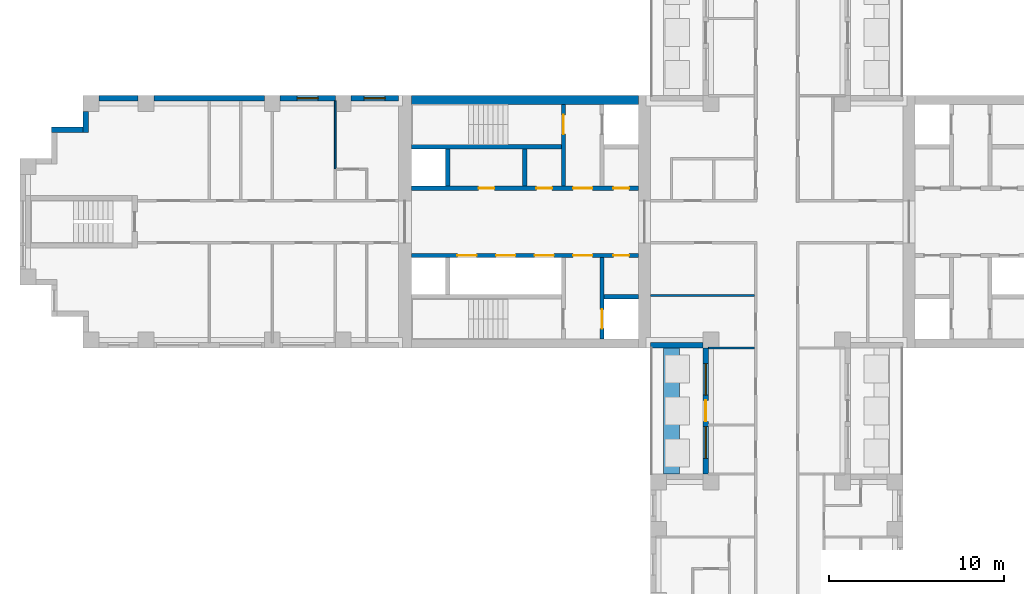
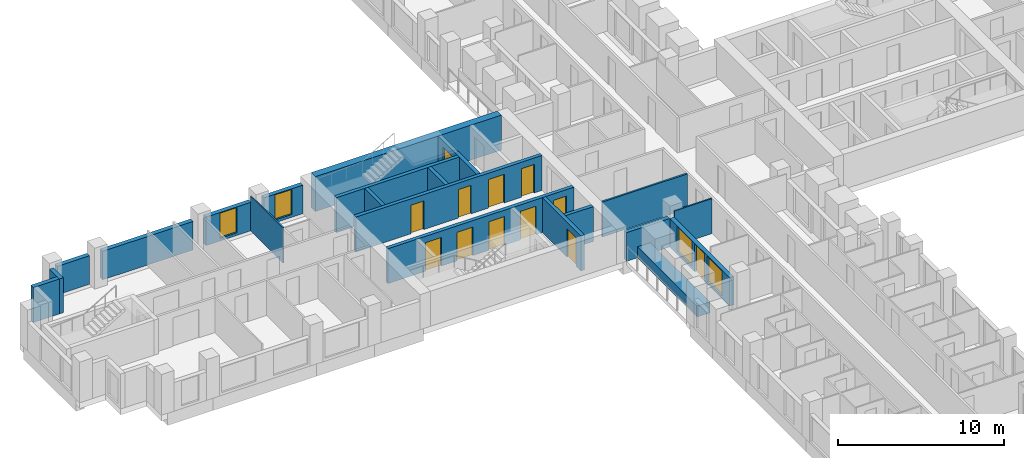
# One storey, part 7 of 16: 21 walls, 12 doors, 4 windows, 16 openings.
"""IFC4 building model written with IfcOpenShell, lengths in metres."""

import ifcopenshell
import ifcopenshell.guid

model = None  # the IFC model being written
_history = None  # IfcOwnerHistory: only IFC2X3 demands one
_inside = {}  # id of a spatial element -> (the spatial element, [elements in it])
_under = {}  # id of a project, library or spatial element -> (it, [spatial elements below it])
_declared = {}  # id of a project -> (the project, [libraries it declares])
_typed = {}  # id of a type object -> (the type object, [elements of that type])
_made_of = {}  # id of a material, layer set ... -> (it, [elements and type objects made of it])


def new_model(schema):
    """Start an empty IFC model of exactly this schema.

    Asked for "IFC4X3", IfcOpenShell would pick the latest addendum, in which some entities
    have other attributes; the version numbers below select the first issue.
    IFC2X3 requires an IfcOwnerHistory on every rooted entity: one is made here for all.
    """
    global model, _history
    if schema == "IFC4X3":
        model = ifcopenshell.file(schema_version=(4, 3, 0, 0))
    else:
        model = ifcopenshell.file(schema=schema)
    _inside.clear()
    _under.clear()
    _declared.clear()
    _typed.clear()
    _made_of.clear()
    _history = None
    if model.schema == "IFC2X3":
        org = make("IfcOrganization", Name="unknown")
        user = make(
            "IfcPersonAndOrganization",
            ThePerson=make("IfcPerson", FamilyName="unknown"),
            TheOrganization=org,
        )
        app = make(
            "IfcApplication",
            ApplicationDeveloper=org,
            Version="unknown",
            ApplicationFullName="unknown",
            ApplicationIdentifier="unknown",
        )
        _history = make(
            "IfcOwnerHistory",
            OwningUser=user,
            OwningApplication=app,
            ChangeAction="ADDED",
            CreationDate=0,
        )
    return model


def make(cls, **values):
    """One entity of the class cls with the attributes given. An attribute that is None is left unset."""
    return model.create_entity(
        cls, **{name: value for name, value in values.items() if value is not None}
    )


def rooted(cls, **values):
    """An entity with a GlobalId (a new one), such as an element, a storey or a relation."""
    return make(cls, GlobalId=ifcopenshell.guid.new(), OwnerHistory=_history, **values)


def si_unit(unit_type, name, prefix=None):
    """IfcSIUnit, for example si_unit("LENGTHUNIT", "METRE", prefix="MILLI")."""
    return make("IfcSIUnit", UnitType=unit_type, Prefix=prefix, Name=name)


def assignment(units):
    """IfcUnitAssignment: the units of a project."""
    return None if units is None else make("IfcUnitAssignment", Units=units)


def point(xyz):
    """IfcCartesianPoint."""
    return None if xyz is None else make("IfcCartesianPoint", Coordinates=xyz)


def direction(xyz):
    """IfcDirection."""
    return None if xyz is None else make("IfcDirection", DirectionRatios=xyz)


def frame(location, z_axis=None, x_axis=None):
    """IfcAxis2Placement3D, a coordinate frame: its origin and axes. An axis left out is left unset."""
    return make(
        "IfcAxis2Placement3D",
        Location=point(location),
        Axis=direction(z_axis),
        RefDirection=direction(x_axis),
    )


def frame_2d(location, x_axis=None):
    """IfcAxis2Placement2D, a coordinate frame in the plane: its origin and x axis."""
    return make(
        "IfcAxis2Placement2D", Location=point(location), RefDirection=direction(x_axis)
    )


def origin():
    """The frame at (0, 0, 0) with its axes left unset."""
    return frame((0.0, 0.0, 0.0))


def place(relative_to, where):
    """IfcLocalPlacement: puts the frame where relative to a parent placement (None: the world)."""
    return make(
        "IfcLocalPlacement", PlacementRelTo=relative_to, RelativePlacement=where
    )


def context(
    kind, dimensions, precision=None, world=None, true_north=None, identifier=None
):
    """IfcGeometricRepresentationContext, for example the 3D "Model" context."""
    return make(
        "IfcGeometricRepresentationContext",
        ContextIdentifier=identifier,
        ContextType=kind,
        CoordinateSpaceDimension=dimensions,
        Precision=precision,
        WorldCoordinateSystem=world,
        TrueNorth=true_north,
    )


def subcontext(parent, identifier, kind, view, scale=None):
    """IfcGeometricRepresentationSubContext, for example "Body" below "Model"."""
    return make(
        "IfcGeometricRepresentationSubContext",
        ContextIdentifier=identifier,
        ContextType=kind,
        ParentContext=parent,
        TargetScale=scale,
        TargetView=view,
    )


def project(units=None, contexts=None):
    """IfcProject with its units and contexts."""
    return rooted(
        "IfcProject",
        Name="project",
        RepresentationContexts=contexts,
        UnitsInContext=assignment(units),
    )


def spatial(cls, under=None, at=None, **own):
    """A site, building, storey or space (cls), placed at a placement, below another one or the project."""
    s = rooted(cls, ObjectPlacement=at, **own)
    if under is not None:
        _under.setdefault(under.id(), (under, []))[1].append(s)
    return s


def profile(cls, at=None, kind="AREA", **sizes):
    """A parametric profile (cls). Its sizes go by their IFC names, for example OverallWidth=200.0."""
    return make(cls, ProfileType=kind, Position=at, **sizes)


def rectangle(**sizes):
    """IfcRectangleProfileDef."""
    return profile("IfcRectangleProfileDef", **sizes)


def extrude(swept, where, along, depth):
    """IfcExtrudedAreaSolid: the profile swept, set in the frame where, extruded along a direction by depth."""
    return make(
        "IfcExtrudedAreaSolid",
        SweptArea=swept,
        Position=where,
        ExtrudedDirection=direction(along),
        Depth=depth,
    )


def shape(context_of_items, identifier, shape_type, items):
    """IfcShapeRepresentation: the items that make up one representation, for example the "Body"."""
    return make(
        "IfcShapeRepresentation",
        ContextOfItems=context_of_items,
        RepresentationIdentifier=identifier,
        RepresentationType=shape_type,
        Items=items,
    )


def material(Name=None, Category=None):
    """IfcMaterial."""
    return make("IfcMaterial", Name=Name, Category=Category)


def layer(
    of_material, thickness, ventilated=None, Name=None, Category=None, Priority=None
):
    """IfcMaterialLayer: one layer of a wall or slab, of a material (None: an air gap)."""
    return make(
        "IfcMaterialLayer",
        Material=of_material,
        LayerThickness=thickness,
        IsVentilated=ventilated,
        Name=Name,
        Category=Category,
        Priority=Priority,
    )


def layer_set(layers, Name=None):
    """IfcMaterialLayerSet."""
    return make("IfcMaterialLayerSet", MaterialLayers=layers, LayerSetName=Name)


def made_of(thing, what):
    """Note that an element or type object is made of a material, layer set ...; save() writes the relation."""
    if what is not None:
        _made_of.setdefault(what.id(), (what, []))[1].append(thing)
    return thing


def type_object(cls, material=None, **own):
    """A type object (cls), such as IfcWallType, which elements share."""
    return made_of(rooted(cls, **own), material)


def element(
    cls,
    number,
    at=None,
    inside=None,
    cuts=None,
    type_object=None,
    material=None,
    context=None,
    identifier="Body",
    shape_type=None,
    held_by="IfcProductDefinitionShape",
    body=None,
    shapes=None,
    **own,
):
    """One element of the class cls, such as IfcWall. Its Tag is "e" and its number.

    at: its placement. inside: the storey or other place that contains it. cuts: it is an
    opening in that element (IfcRelVoidsElement). A single representation is given by context,
    identifier, shape_type and body (its items); several are given by shapes. held_by: the class
    of the entity that holds the representations. save() writes the other relations.
    """
    e = rooted(cls, Tag="e%d" % number, ObjectPlacement=at, **own)
    if body is not None:
        shapes = [shape(context, identifier, shape_type, body)]
    if shapes is not None:
        e.Representation = make(held_by, Representations=shapes)
    if inside is not None:
        _inside.setdefault(inside.id(), (inside, []))[1].append(e)
    if cuts is not None:
        rooted(
            "IfcRelVoidsElement", RelatingBuildingElement=cuts, RelatedOpeningElement=e
        )
    if type_object is not None:
        _typed.setdefault(type_object.id(), (type_object, []))[1].append(e)
    return made_of(e, material)


def fill(opening, filler):
    """IfcRelFillsElement: the door or window that sits in an opening."""
    return rooted(
        "IfcRelFillsElement",
        RelatingOpeningElement=opening,
        RelatedBuildingElement=filler,
    )


def aggregate(whole, parts):
    """IfcRelAggregates: a whole, such as a stair, and the parts it consists of."""
    return rooted("IfcRelAggregates", RelatingObject=whole, RelatedObjects=parts)


def save(model, path):
    """Write the relations noted so far, then the file.

    IfcRelAggregates (storeys below a building ...), IfcRelContainedInSpatialStructure (elements
    in a storey), IfcRelDefinesByType, IfcRelAssociatesMaterial and IfcRelDeclares: one each for
    every whole, place, type object, material and project.
    """
    for whole, parts in _under.values():
        aggregate(whole, parts)
    for where, things in _inside.values():
        rooted(
            "IfcRelContainedInSpatialStructure",
            RelatedElements=things,
            RelatingStructure=where,
        )
    for kind, things in _typed.values():
        rooted("IfcRelDefinesByType", RelatedObjects=things, RelatingType=kind)
    for what, things in _made_of.values():
        rooted("IfcRelAssociatesMaterial", RelatedObjects=things, RelatingMaterial=what)
    for by, libraries in _declared.values():
        rooted("IfcRelDeclares", RelatingContext=by, RelatedDefinitions=libraries)
    model.write(path)


model = new_model("IFC4")

# Units and contexts
model_context = context("Model", 3, precision=1e-05, world=origin(), true_north=direction((0.0, 1.0)))
body_context = subcontext(model_context, "Body", "Model", "MODEL_VIEW")
ifc_project = project(units=[si_unit("LENGTHUNIT", "METRE"), si_unit("AREAUNIT", "SQUARE_METRE"), si_unit("VOLUMEUNIT", "CUBIC_METRE"), si_unit("PLANEANGLEUNIT", "RADIAN"), si_unit("MASSUNIT", "GRAM", prefix="KILO")], contexts=[model_context])

# Site, building, storey
site_placement = place(None, origin())
site = spatial("IfcSite", under=ifc_project, at=site_placement, CompositionType="ELEMENT")
building_placement = place(site_placement, origin())
building = spatial("IfcBuilding", under=site, at=building_placement, Name="Fustian Cross Tower", CompositionType="ELEMENT")
storey_placement = place(building_placement, frame((0.0, 0.0, 23.699951171875)))
storey = spatial("IfcBuildingStorey", under=building, at=storey_placement, Name="L06", CompositionType="ELEMENT", Elevation=23.699951171875)

# Wall
ifc_material_1 = material(Name="Concrete C80/95", Category="concrete")
ifc_layer_1 = layer(ifc_material_1, 0.5)
ifc_layer_set_1 = layer_set([ifc_layer_1], Name="Concrete C80/95")
wall_type_1 = type_object("IfcWallType", Name="CORE FACADE WALL 500 C80/95", PredefinedType="SHEAR", material=ifc_layer_set_1)
wall_1_placement = place(storey_placement, frame((-7.89990234375, 6.949951171875, 0.0), z_axis=(0.0, 0.0, 1.0), x_axis=(-1.0, 0.0, 0.0)))
element("IfcWall", 1, at=wall_1_placement, inside=storey, type_object=wall_type_1, Name="Core facade wall", PredefinedType="SHEAR", context=body_context, shape_type="SweptSolid", body=[
    extrude(rectangle(XDim=12.9501953125, YDim=0.5, at=frame_2d((6.47509765625, 0.0))), origin(), (0.0, 0.0, 1.0), 2.574951171875),
])

# Wall, openings, doors
ifc_material_2 = material(Name="Concrete C50/60", Category="concrete")
ifc_layer_2 = layer(ifc_material_2, 0.25)
ifc_layer_set_2 = layer_set([ifc_layer_2], Name="Concrete C50/60")
wall_type_2 = type_object("IfcWallType", Name="CORE LOBBY WALL 250 C50/60", PredefinedType="SHEAR", material=ifc_layer_set_2)
wall_2_placement = place(storey_placement, frame((-7.89990234375, 1.925048828125, 0.0), z_axis=(0.0, 0.0, 1.0), x_axis=(-1.0, 0.0, 0.0)))
wall_2 = element("IfcWall", 2, at=wall_2_placement, inside=storey, type_object=wall_type_2, Name="Core lobby wall", PredefinedType="SHEAR", context=body_context, shape_type="SweptSolid", body=[
    extrude(rectangle(XDim=12.9501953125, YDim=0.25, at=frame_2d((6.47509765625, 0.0))), origin(), (0.0, 0.0, 1.0), 2.574951171875),
])
opening_1_placement = place(wall_2_placement, frame((0.52490234375, 0.0, 0.0)))
opening_1 = element("IfcOpeningElement", 3, at=opening_1_placement, cuts=wall_2, Name="Opening CD-05-23", PredefinedType="OPENING", context=body_context, shape_type="SweptSolid", body=[
    extrude(rectangle(XDim=0.89990234375, YDim=2.10009765625, at=frame_2d((0.449951171875, 1.050048828125))), frame((0.0, 0.135009765625, 0.0), z_axis=(0.0, -1.0, 0.0), x_axis=(1.0, 0.0, 0.0)), (0.0, 0.0, 1.0), 0.27001953125),
])
opening_2_placement = place(wall_2_placement, frame((2.625, 0.0, 0.0)))
opening_2 = element("IfcOpeningElement", 4, at=opening_2_placement, cuts=wall_2, Name="Opening CD-05-25", PredefinedType="OPENING", context=body_context, shape_type="SweptSolid", body=[
    extrude(rectangle(XDim=1.10009765625, YDim=2.10009765625, at=frame_2d((0.550048828125, 1.050048828125))), frame((0.0, 0.135009765625, 0.0), z_axis=(0.0, -1.0, 0.0), x_axis=(1.0, 0.0, 0.0)), (0.0, 0.0, 1.0), 0.27001953125),
])
opening_3_placement = place(wall_2_placement, frame((4.925048828125, 0.0, 0.0)))
opening_3 = element("IfcOpeningElement", 5, at=opening_3_placement, cuts=wall_2, Name="Opening CD-05-29", PredefinedType="OPENING", context=body_context, shape_type="SweptSolid", body=[
    extrude(rectangle(XDim=0.89990234375, YDim=2.10009765625, at=frame_2d((0.449951171875, 1.050048828125))), frame((0.0, 0.135009765625, 0.0), z_axis=(0.0, -1.0, 0.0), x_axis=(1.0, 0.0, 0.0)), (0.0, 0.0, 1.0), 0.27001953125),
])
opening_4_placement = place(wall_2_placement, frame((8.22509765625, 0.0, 0.0)))
opening_4 = element("IfcOpeningElement", 6, at=opening_4_placement, cuts=wall_2, Name="Opening CD-05-30", PredefinedType="OPENING", context=body_context, shape_type="SweptSolid", body=[
    extrude(rectangle(XDim=0.89990234375, YDim=2.10009765625, at=frame_2d((0.449951171875, 1.050048828125))), frame((0.0, 0.135009765625, 0.0), z_axis=(0.0, -1.0, 0.0), x_axis=(1.0, 0.0, 0.0)), (0.0, 0.0, 1.0), 0.27001953125),
])
ifc_material_3 = material(Name="Steel", Category="steel")
door_type_1 = type_object("IfcDoorType", Name="FIRE DOOR FD30S 900X2100", OperationType="SINGLE_SWING_LEFT", PredefinedType="DOOR", material=ifc_material_3)
door_1_placement = place(opening_3_placement, frame((0.89990234375, 0.0, 0.0), z_axis=(0.0, 0.0, 1.0), x_axis=(-1.0, 0.0, 0.0)))
door_1 = element("IfcDoor", 7, at=door_1_placement, inside=storey, type_object=door_type_1, Name="Core door CD-05-29", OperationType="SINGLE_SWING_RIGHT", OverallHeight=2.10009765625, OverallWidth=0.89990234375, PredefinedType="DOOR", context=body_context, shape_type="SweptSolid", body=[
    extrude(rectangle(XDim=0.89990234375, YDim=2.10009765625, at=frame_2d((0.449951171875, 1.050048828125))), frame((0.0, 0.02490234375, 0.0), z_axis=(0.0, -1.0, 0.0), x_axis=(1.0, 0.0, 0.0)), (0.0, 0.0, 1.0), 0.050048828125),
])
fill(opening_3, door_1)
door_2_placement = place(opening_4_placement, frame((0.89990234375, 0.0, 0.0), z_axis=(0.0, 0.0, 1.0), x_axis=(-1.0, 0.0, 0.0)))
door_2 = element("IfcDoor", 8, at=door_2_placement, inside=storey, type_object=door_type_1, Name="Core door CD-05-30", OperationType="SINGLE_SWING_LEFT", OverallHeight=2.10009765625, OverallWidth=0.89990234375, PredefinedType="DOOR", context=body_context, shape_type="SweptSolid", body=[
    extrude(rectangle(XDim=0.89990234375, YDim=2.10009765625, at=frame_2d((0.449951171875, 1.050048828125))), frame((0.0, 0.02490234375, 0.0), z_axis=(0.0, -1.0, 0.0), x_axis=(1.0, 0.0, 0.0)), (0.0, 0.0, 1.0), 0.050048828125),
])
fill(opening_4, door_2)
ifc_material_4 = material(Name="Steel", Category="steel")
door_type_2 = type_object("IfcDoorType", Name="FIRE DOOR FD60S 1100X2100", OperationType="SINGLE_SWING_LEFT", PredefinedType="DOOR", material=ifc_material_4)
door_3_placement = place(opening_2_placement, frame((1.10009765625, 0.0, 0.0), z_axis=(0.0, 0.0, 1.0), x_axis=(-1.0, 0.0, 0.0)))
door_3 = element("IfcDoor", 9, at=door_3_placement, inside=storey, type_object=door_type_2, Name="Core door CD-05-25", OperationType="SINGLE_SWING_RIGHT", OverallHeight=2.10009765625, OverallWidth=1.10009765625, PredefinedType="DOOR", context=body_context, shape_type="SweptSolid", body=[
    extrude(rectangle(XDim=1.10009765625, YDim=2.10009765625, at=frame_2d((0.550048828125, 1.050048828125))), frame((0.0, 0.02490234375, 0.0), z_axis=(0.0, -1.0, 0.0), x_axis=(1.0, 0.0, 0.0)), (0.0, 0.0, 1.0), 0.050048828125),
])
fill(opening_2, door_3)
ifc_material_5 = material(Name="Steel", Category="steel")
door_type_3 = type_object("IfcDoorType", Name="FIRE DOOR FD60S 900X2100", OperationType="SINGLE_SWING_LEFT", PredefinedType="DOOR", material=ifc_material_5)
door_4_placement = place(opening_1_placement, frame((0.89990234375, 0.0, 0.0), z_axis=(0.0, 0.0, 1.0), x_axis=(-1.0, 0.0, 0.0)))
door_4 = element("IfcDoor", 10, at=door_4_placement, inside=storey, type_object=door_type_3, Name="Core door CD-05-23", OperationType="SINGLE_SWING_RIGHT", OverallHeight=2.10009765625, OverallWidth=0.89990234375, PredefinedType="DOOR", context=body_context, shape_type="SweptSolid", body=[
    extrude(rectangle(XDim=0.89990234375, YDim=2.10009765625, at=frame_2d((0.449951171875, 1.050048828125))), frame((0.0, 0.02490234375, 0.0), z_axis=(0.0, -1.0, 0.0), x_axis=(1.0, 0.0, 0.0)), (0.0, 0.0, 1.0), 0.050048828125),
])
fill(opening_1, door_4)

wall_3_placement = place(storey_placement, frame((-7.89990234375, -1.925048828125, 0.0), z_axis=(0.0, 0.0, 1.0), x_axis=(-1.0, 0.0, 0.0)))
wall_3 = element("IfcWall", 11, at=wall_3_placement, inside=storey, type_object=wall_type_2, Name="Core lobby wall", PredefinedType="SHEAR", context=body_context, shape_type="SweptSolid", body=[
    extrude(rectangle(XDim=12.9501953125, YDim=0.25, at=frame_2d((6.47509765625, 0.0))), origin(), (0.0, 0.0, 1.0), 2.574951171875),
])
opening_5_placement = place(wall_3_placement, frame((4.824951171875, 0.0, 0.0)))
opening_5 = element("IfcOpeningElement", 12, at=opening_5_placement, cuts=wall_3, Name="Opening LD", PredefinedType="OPENING", context=body_context, shape_type="SweptSolid", body=[
    extrude(rectangle(XDim=1.10009765625, YDim=2.10009765625, at=frame_2d((0.550048828125, 1.050048828125))), frame((0.0, 0.135009765625, 0.0), z_axis=(0.0, -1.0, 0.0), x_axis=(1.0, 0.0, 0.0)), (0.0, 0.0, 1.0), 0.27001953125),
])
opening_6_placement = place(wall_3_placement, frame((7.02490234375, 0.0, 0.0)))
opening_6 = element("IfcOpeningElement", 13, at=opening_6_placement, cuts=wall_3, Name="Opening LD", PredefinedType="OPENING", context=body_context, shape_type="SweptSolid", body=[
    extrude(rectangle(XDim=1.10009765625, YDim=2.10009765625, at=frame_2d((0.550048828125, 1.050048828125))), frame((0.0, 0.135009765625, 0.0), z_axis=(0.0, -1.0, 0.0), x_axis=(1.0, 0.0, 0.0)), (0.0, 0.0, 1.0), 0.27001953125),
])
opening_7_placement = place(wall_3_placement, frame((9.22509765625, 0.0, 0.0)))
opening_7 = element("IfcOpeningElement", 14, at=opening_7_placement, cuts=wall_3, Name="Opening LD", PredefinedType="OPENING", context=body_context, shape_type="SweptSolid", body=[
    extrude(rectangle(XDim=1.10009765625, YDim=2.10009765625, at=frame_2d((0.550048828125, 1.050048828125))), frame((0.0, 0.135009765625, 0.0), z_axis=(0.0, -1.0, 0.0), x_axis=(1.0, 0.0, 0.0)), (0.0, 0.0, 1.0), 0.27001953125),
])
opening_8_placement = place(wall_3_placement, frame((0.52490234375, 0.0, 0.0)))
opening_8 = element("IfcOpeningElement", 15, at=opening_8_placement, cuts=wall_3, Name="Opening CD-05-24", PredefinedType="OPENING", context=body_context, shape_type="SweptSolid", body=[
    extrude(rectangle(XDim=0.89990234375, YDim=2.10009765625, at=frame_2d((0.449951171875, 1.050048828125))), frame((0.0, 0.135009765625, 0.0), z_axis=(0.0, -1.0, 0.0), x_axis=(1.0, 0.0, 0.0)), (0.0, 0.0, 1.0), 0.27001953125),
])
opening_9_placement = place(wall_3_placement, frame((2.625, 0.0, 0.0)))
opening_9 = element("IfcOpeningElement", 16, at=opening_9_placement, cuts=wall_3, Name="Opening CD-05-26", PredefinedType="OPENING", context=body_context, shape_type="SweptSolid", body=[
    extrude(rectangle(XDim=1.10009765625, YDim=2.10009765625, at=frame_2d((0.550048828125, 1.050048828125))), frame((0.0, 0.135009765625, 0.0), z_axis=(0.0, -1.0, 0.0), x_axis=(1.0, 0.0, 0.0)), (0.0, 0.0, 1.0), 0.27001953125),
])
ifc_material_6 = material(Name="Steel", Category="steel")
door_type_4 = type_object("IfcDoorType", Name="FIRE DOOR FD30S 1100X2100", OperationType="SINGLE_SWING_LEFT", PredefinedType="DOOR", material=ifc_material_6)
door_5_placement = place(opening_9_placement, frame((1.10009765625, 0.0, 0.0), z_axis=(0.0, 0.0, 1.0), x_axis=(-1.0, 0.0, 0.0)))
door_5 = element("IfcDoor", 17, at=door_5_placement, inside=storey, type_object=door_type_4, Name="Core door CD-05-26", OperationType="SINGLE_SWING_RIGHT", OverallHeight=2.10009765625, OverallWidth=1.10009765625, PredefinedType="DOOR", context=body_context, shape_type="SweptSolid", body=[
    extrude(rectangle(XDim=1.10009765625, YDim=2.10009765625, at=frame_2d((0.550048828125, 1.050048828125))), frame((0.0, 0.02490234375, 0.0), z_axis=(0.0, -1.0, 0.0), x_axis=(1.0, 0.0, 0.0)), (0.0, 0.0, 1.0), 0.050048828125),
])
fill(opening_9, door_5)
door_6_placement = place(opening_8_placement, origin())
door_6 = element("IfcDoor", 18, at=door_6_placement, inside=storey, type_object=door_type_1, Name="Core door CD-05-24", OperationType="SINGLE_SWING_LEFT", OverallHeight=2.10009765625, OverallWidth=0.89990234375, PredefinedType="DOOR", context=body_context, shape_type="SweptSolid", body=[
    extrude(rectangle(XDim=0.89990234375, YDim=2.10009765625, at=frame_2d((0.449951171875, 1.050048828125))), frame((0.0, 0.02490234375, 0.0), z_axis=(0.0, -1.0, 0.0), x_axis=(1.0, 0.0, 0.0)), (0.0, 0.0, 1.0), 0.050048828125),
])
fill(opening_8, door_6)
ifc_material_7 = material(Name="Stainless steel", Category="steel")
door_type_5 = type_object("IfcDoorType", Name="LIFT LANDING DOOR 1100X2100", OperationType="SLIDING_TO_LEFT", PredefinedType="DOOR", material=ifc_material_7)
door_7_placement = place(opening_5_placement, origin())
door_7 = element("IfcDoor", 19, at=door_7_placement, inside=storey, type_object=door_type_5, Name="Landing door LR1W", OperationType="SLIDING_TO_LEFT", OverallHeight=2.10009765625, OverallWidth=1.10009765625, PredefinedType="DOOR", context=body_context, shape_type="SweptSolid", body=[
    extrude(rectangle(XDim=1.10009765625, YDim=2.10009765625, at=frame_2d((0.550048828125, 1.050048828125))), frame((0.0, 0.02490234375, 0.0), z_axis=(0.0, -1.0, 0.0), x_axis=(1.0, 0.0, 0.0)), (0.0, 0.0, 1.0), 0.050048828125),
])
fill(opening_5, door_7)
door_8_placement = place(opening_6_placement, origin())
door_8 = element("IfcDoor", 20, at=door_8_placement, inside=storey, type_object=door_type_5, Name="Landing door LR2W", OperationType="SLIDING_TO_LEFT", OverallHeight=2.10009765625, OverallWidth=1.10009765625, PredefinedType="DOOR", context=body_context, shape_type="SweptSolid", body=[
    extrude(rectangle(XDim=1.10009765625, YDim=2.10009765625, at=frame_2d((0.550048828125, 1.050048828125))), frame((0.0, 0.02490234375, 0.0), z_axis=(0.0, -1.0, 0.0), x_axis=(1.0, 0.0, 0.0)), (0.0, 0.0, 1.0), 0.050048828125),
])
fill(opening_6, door_8)
door_9_placement = place(opening_7_placement, origin())
door_9 = element("IfcDoor", 21, at=door_9_placement, inside=storey, type_object=door_type_5, Name="Landing door LR3W", OperationType="SLIDING_TO_LEFT", OverallHeight=2.10009765625, OverallWidth=1.10009765625, PredefinedType="DOOR", context=body_context, shape_type="SweptSolid", body=[
    extrude(rectangle(XDim=1.10009765625, YDim=2.10009765625, at=frame_2d((0.550048828125, 1.050048828125))), frame((0.0, 0.02490234375, 0.0), z_axis=(0.0, -1.0, 0.0), x_axis=(1.0, 0.0, 0.0)), (0.0, 0.0, 1.0), 0.050048828125),
])
fill(opening_7, door_9)

# Wall
ifc_material_8 = material(Name="Concrete C50/60", Category="concrete")
ifc_layer_3 = layer(ifc_material_8, 0.25)
ifc_layer_set_3 = layer_set([ifc_layer_3], Name="Concrete C50/60")
wall_type_3 = type_object("IfcWallType", Name="CORE SHAFT WALL 250 C50/60", PredefinedType="SHEAR", material=ifc_layer_set_3)
wall_4_placement = place(storey_placement, frame((-12.300048828125, 4.27490234375, 0.0), z_axis=(0.0, 0.0, 1.0), x_axis=(-1.0, 0.0, 0.0)))
element("IfcWall", 22, at=wall_4_placement, inside=storey, type_object=wall_type_3, Name="Core shaft wall", PredefinedType="SHEAR", context=body_context, shape_type="SweptSolid", body=[
    extrude(rectangle(XDim=8.550048828125, YDim=0.25, at=frame_2d((4.27490234375, 0.0))), origin(), (0.0, 0.0, 1.0), 2.574951171875),
])

# Wall, opening, door
wall_5_placement = place(storey_placement, frame((-12.175048828125, 2.050048828125, 0.0), z_axis=(0.0, 0.0, 1.0), x_axis=(0.0, 1.0, 0.0)))
wall_5 = element("IfcWall", 23, at=wall_5_placement, inside=storey, type_object=wall_type_3, Name="Core shaft wall", PredefinedType="SHEAR", context=body_context, shape_type="SweptSolid", body=[
    extrude(rectangle(XDim=4.64990234375, YDim=0.25, at=frame_2d((2.324951171875, 0.0))), origin(), (0.0, 0.0, 1.0), 2.574951171875),
])
opening_10_placement = place(wall_5_placement, frame((2.949951171875, 0.0, 0.0)))
opening_10 = element("IfcOpeningElement", 24, at=opening_10_placement, cuts=wall_5, Name="Opening CD-05-21", PredefinedType="OPENING", context=body_context, shape_type="SweptSolid", body=[
    extrude(rectangle(XDim=1.10009765625, YDim=2.10009765625, at=frame_2d((0.550048828125, 1.050048828125))), frame((0.0, 0.135009765625, 0.0), z_axis=(0.0, -1.0, 0.0), x_axis=(1.0, 0.0, 0.0)), (0.0, 0.0, 1.0), 0.27001953125),
])
door_10_placement = place(opening_10_placement, origin())
door_10 = element("IfcDoor", 25, at=door_10_placement, inside=storey, type_object=door_type_2, Name="Core door CD-05-21", OperationType="SINGLE_SWING_LEFT", OverallHeight=2.10009765625, OverallWidth=1.10009765625, PredefinedType="DOOR", context=body_context, shape_type="SweptSolid", body=[
    extrude(rectangle(XDim=1.10009765625, YDim=2.10009765625, at=frame_2d((0.550048828125, 1.050048828125))), frame((0.0, 0.02490234375, 0.0), z_axis=(0.0, -1.0, 0.0), x_axis=(1.0, 0.0, 0.0)), (0.0, 0.0, 1.0), 0.050048828125),
])
fill(opening_10, door_10)

# Wall
wall_6_placement = place(storey_placement, frame((-7.89990234375, -4.27490234375, 0.0), z_axis=(0.0, 0.0, 1.0), x_axis=(-1.0, 0.0, 0.0)))
element("IfcWall", 26, at=wall_6_placement, inside=storey, type_object=wall_type_3, Name="Core shaft wall", PredefinedType="SHEAR", context=body_context, shape_type="SweptSolid", body=[
    extrude(rectangle(XDim=1.9501953125, YDim=0.25, at=frame_2d((0.97509765625, 0.0))), origin(), (0.0, 0.0, 1.0), 2.574951171875),
])

# Wall, opening, door
wall_7_placement = place(storey_placement, frame((-9.97509765625, -2.050048828125, 0.0), z_axis=(0.0, 0.0, 1.0), x_axis=(0.0, -1.0, 0.0)))
wall_7 = element("IfcWall", 27, at=wall_7_placement, inside=storey, type_object=wall_type_3, Name="Core shaft wall", PredefinedType="SHEAR", context=body_context, shape_type="SweptSolid", body=[
    extrude(rectangle(XDim=4.64990234375, YDim=0.25, at=frame_2d((2.324951171875, 0.0))), origin(), (0.0, 0.0, 1.0), 2.574951171875),
])
opening_11_placement = place(wall_7_placement, frame((2.949951171875, 0.0, 0.0)))
opening_11 = element("IfcOpeningElement", 28, at=opening_11_placement, cuts=wall_7, Name="Opening LD", PredefinedType="OPENING", context=body_context, shape_type="SweptSolid", body=[
    extrude(rectangle(XDim=1.10009765625, YDim=2.10009765625, at=frame_2d((0.550048828125, 1.050048828125))), frame((0.0, 0.135009765625, 0.0), z_axis=(0.0, -1.0, 0.0), x_axis=(1.0, 0.0, 0.0)), (0.0, 0.0, 1.0), 0.27001953125),
])
door_11_placement = place(opening_11_placement, origin())
door_11 = element("IfcDoor", 29, at=door_11_placement, inside=storey, type_object=door_type_5, Name="Landing door SV1W", OperationType="SLIDING_TO_LEFT", OverallHeight=2.10009765625, OverallWidth=1.10009765625, PredefinedType="DOOR", context=body_context, shape_type="SweptSolid", body=[
    extrude(rectangle(XDim=1.10009765625, YDim=2.10009765625, at=frame_2d((0.550048828125, 1.050048828125))), frame((0.0, 0.02490234375, 0.0), z_axis=(0.0, -1.0, 0.0), x_axis=(1.0, 0.0, 0.0)), (0.0, 0.0, 1.0), 0.050048828125),
])
fill(opening_11, door_11)

# Walls
ifc_material_9 = material(Name="Plasterboard on steel stud", Category="steel")
ifc_layer_4 = layer(ifc_material_9, 0.10009765625)
ifc_layer_set_4 = layer_set([ifc_layer_4], Name="Plasterboard on steel stud")
wall_type_4 = type_object("IfcWallType", Name="PARTITION 100 STUD", PredefinedType="PARTITIONING", material=ifc_layer_set_4)
wall_8_placement = place(storey_placement, frame((-25.199951171875, 3.0, 0.0), z_axis=(0.0, 0.0, 1.0), x_axis=(0.0, 1.0, 0.0)))
element("IfcWall", 30, at=wall_8_placement, inside=storey, type_object=wall_type_4, Name="Partition 10", PredefinedType="PARTITIONING", context=body_context, shape_type="SweptSolid", body=[
    extrude(rectangle(XDim=3.89990234375, YDim=0.10009765625, at=frame_2d((1.949951171875, 0.0))), origin(), (0.0, 0.0, 1.0), 2.574951171875),
])
wall_9_placement = place(storey_placement, frame((-3.89990234375, -7.199951171875, 0.0), z_axis=(0.0, 0.0, 1.0), x_axis=(1.0, 0.0, 0.0)))
element("IfcWall", 31, at=wall_9_placement, inside=storey, type_object=wall_type_4, Name="Partition 44", PredefinedType="PARTITIONING", context=body_context, shape_type="SweptSolid", body=[
    extrude(rectangle(XDim=2.625, YDim=0.10009765625, at=frame_2d((1.3125, 0.0))), origin(), (0.0, 0.0, 1.0), 2.574951171875),
])
ifc_material_10 = material(Name="Concrete C40/50", Category="concrete")
ifc_layer_5 = layer(ifc_material_10, 0.89990234375)
ifc_layer_set_5 = layer_set([ifc_layer_5], Name="Concrete C40/50")
wall_type_5 = type_object("IfcWallType", Name="PK1 PLANTER 900", PredefinedType="PARAPET", material=ifc_layer_set_5)
wall_10_placement = place(storey_placement, frame((-6.0, -14.39990234375, 0.0), z_axis=(0.0, 0.0, 1.0), x_axis=(0.0, 1.0, 0.0)))
element("IfcWall", 32, at=wall_10_placement, inside=storey, type_object=wall_type_5, Name="PLANTER", PredefinedType="PARAPET", context=body_context, shape_type="SweptSolid", body=[
    extrude(rectangle(XDim=7.199951171875, YDim=0.89990234375, at=frame_2d((3.60009765625, 0.0))), origin(), (0.0, 0.0, 1.0), 0.800048828125),
])
ifc_material_11 = material(Name="Concrete C40/50", Category="concrete")
ifc_layer_6 = layer(ifc_material_11, 0.25)
ifc_layer_set_6 = layer_set([ifc_layer_6], Name="Concrete C40/50")
wall_type_6 = type_object("IfcWallType", Name="SHAFT PARTITION WALL 250 C40/50", PredefinedType="PARTITIONING", material=ifc_layer_set_6)
for number, where, z_axis, x_axis, name in (
    (33, (-14.375, 2.050048828125, 0.0), (0.0, 0.0, 1.0), (0.0, 1.0, 0.0), "Core shaft wall"),
    (34, (-18.77490234375, 2.050048828125, 0.0), (0.0, 0.0, 1.0), (0.0, 1.0, 0.0), "Core shaft wall"),
):
    element("IfcWall", number, at=place(storey_placement, frame(where, z_axis=z_axis, x_axis=x_axis)), inside=storey, type_object=wall_type_6, Name=name, PredefinedType="PARTITIONING", context=body_context, shape_type="SweptSolid", body=[
        extrude(rectangle(XDim=2.099853515625, YDim=0.25, at=frame_2d((1.0498046875, 0.0))), origin(), (0.0, 0.0, 1.0), 2.574951171875),
    ])
ifc_material_12 = material(Name="Plasterboard on steel stud", Category="steel")
ifc_layer_7 = layer(ifc_material_12, 0.125)
ifc_layer_set_7 = layer_set([ifc_layer_7], Name="Plasterboard on steel stud")
wall_type_7 = type_object("IfcWallType", Name="WET WALL 125 STUD", PredefinedType="PARTITIONING", material=ifc_layer_set_7)
wall_11_placement = place(storey_placement, frame((-7.199951171875, -4.199951171875, 0.0), z_axis=(0.0, 0.0, 1.0), x_axis=(1.0, 0.0, 0.0)))
element("IfcWall", 35, at=wall_11_placement, inside=storey, type_object=wall_type_7, Name="Partition 14", PredefinedType="PARTITIONING", context=body_context, shape_type="SweptSolid", body=[
    extrude(rectangle(XDim=5.925048828125, YDim=0.125, at=frame_2d((2.96240234375, 0.0))), origin(), (0.0, 0.0, 1.0), 2.574951171875),
])

# Wall, opening, window
ifc_material_13 = material(Name="Dark aluminium cladding on insulated backing wall", Category="aluminium")
ifc_layer_8 = layer(ifc_material_13, 0.300048828125)
ifc_layer_set_8 = layer_set([ifc_layer_8], Name="Dark aluminium cladding on insulated backing wall")
wall_type_8 = type_object("IfcWallType", Name="XW1 EXTERNAL WALL 300", PredefinedType="SOLIDWALL", material=ifc_layer_set_8)
wall_12_placement = place(storey_placement, frame((-21.60009765625, 7.050048828125, 0.0), z_axis=(0.0, 0.0, 1.0), x_axis=(-1.0, 0.0, 0.0)))
wall_12 = element("IfcWall", 36, at=wall_12_placement, inside=storey, type_object=wall_type_8, Name="External wall", PredefinedType="SOLIDWALL", context=body_context, shape_type="SweptSolid", body=[
    extrude(rectangle(XDim=2.699951171875, YDim=0.300048828125, at=frame_2d((1.35009765625, 0.0))), origin(), (0.0, 0.0, 1.0), 2.10009765625),
])
opening_12_placement = place(wall_12_placement, frame((0.75, 0.0, 0.199951171875)))
opening_12 = element("IfcOpeningElement", 37, at=opening_12_placement, cuts=wall_12, Name="Opening WN3", PredefinedType="OPENING", context=body_context, shape_type="SweptSolid", body=[
    extrude(rectangle(XDim=1.199951171875, YDim=1.85009765625, at=frame_2d((0.60009765625, 0.925048828125))), frame((0.0, 0.159912109375, 0.0), z_axis=(0.0, -1.0, 0.0), x_axis=(1.0, 0.0, 0.0)), (0.0, 0.0, 1.0), 0.320068359375),
])
ifc_material_14 = material(Name="Dark anodised aluminium and double glazing", Category="aluminium")
window_type_1 = type_object("IfcWindowType", Name="WN3 WINDOW 1200X1850", PartitioningType="SINGLE_PANEL", PredefinedType="WINDOW", material=ifc_material_14)
window_1_placement = place(opening_12_placement, origin())
window_1 = element("IfcWindow", 38, at=window_1_placement, inside=storey, type_object=window_type_1, Name="Window", OverallHeight=1.85009765625, OverallWidth=1.199951171875, PartitioningType="SINGLE_PANEL", PredefinedType="WINDOW", context=body_context, shape_type="SweptSolid", body=[
    extrude(rectangle(XDim=1.199951171875, YDim=1.85009765625, at=frame_2d((0.60009765625, 0.925048828125))), frame((0.0, 0.030029296875, 0.0), z_axis=(0.0, -1.0, 0.0), x_axis=(1.0, 0.0, 0.0)), (0.0, 0.0, 1.0), 0.06005859375),
])
fill(opening_12, window_1)

wall_13_placement = place(storey_placement, frame((-25.199951171875, 7.050048828125, 0.0), z_axis=(0.0, 0.0, 1.0), x_axis=(-1.0, 0.0, 0.0)))
wall_13 = element("IfcWall", 39, at=wall_13_placement, inside=storey, type_object=wall_type_8, Name="External wall", PredefinedType="SOLIDWALL", context=body_context, shape_type="SweptSolid", body=[
    extrude(rectangle(XDim=3.150146484375, YDim=0.300048828125, at=frame_2d((1.5751953125, 0.0))), origin(), (0.0, 0.0, 1.0), 2.10009765625),
])
opening_13_placement = place(wall_13_placement, frame((0.97509765625, 0.0, 0.199951171875)))
opening_13 = element("IfcOpeningElement", 40, at=opening_13_placement, cuts=wall_13, Name="Opening WN3", PredefinedType="OPENING", context=body_context, shape_type="SweptSolid", body=[
    extrude(rectangle(XDim=1.199951171875, YDim=1.85009765625, at=frame_2d((0.60009765625, 0.925048828125))), frame((0.0, 0.159912109375, 0.0), z_axis=(0.0, -1.0, 0.0), x_axis=(1.0, 0.0, 0.0)), (0.0, 0.0, 1.0), 0.320068359375),
])
window_2_placement = place(opening_13_placement, origin())
window_2 = element("IfcWindow", 41, at=window_2_placement, inside=storey, type_object=window_type_1, Name="Window", OverallHeight=1.85009765625, OverallWidth=1.199951171875, PartitioningType="SINGLE_PANEL", PredefinedType="WINDOW", context=body_context, shape_type="SweptSolid", body=[
    extrude(rectangle(XDim=1.199951171875, YDim=1.85009765625, at=frame_2d((0.60009765625, 0.925048828125))), frame((0.0, 0.030029296875, 0.0), z_axis=(0.0, -1.0, 0.0), x_axis=(1.0, 0.0, 0.0)), (0.0, 0.0, 1.0), 0.06005859375),
])
fill(opening_13, window_2)

# Walls
wall_14_placement = place(storey_placement, frame((-29.25, 7.050048828125, 0.0), z_axis=(0.0, 0.0, 1.0), x_axis=(-1.0, 0.0, 0.0)))
element("IfcWall", 42, at=wall_14_placement, inside=storey, type_object=wall_type_8, Name="External wall", PredefinedType="SOLIDWALL", context=body_context, shape_type="SweptSolid", body=[
    extrude(rectangle(XDim=6.300048828125, YDim=0.300048828125, at=frame_2d((3.14990234375, 0.0))), origin(), (0.0, 0.0, 1.0), 2.10009765625),
])
wall_15_placement = place(storey_placement, frame((-36.449951171875, 7.050048828125, 0.0), z_axis=(0.0, 0.0, 1.0), x_axis=(-1.0, 0.0, 0.0)))
element("IfcWall", 43, at=wall_15_placement, inside=storey, type_object=wall_type_8, Name="External wall", PredefinedType="SOLIDWALL", context=body_context, shape_type="SweptSolid", body=[
    extrude(rectangle(XDim=2.25, YDim=0.300048828125, at=frame_2d((1.125, 0.0))), origin(), (0.0, 0.0, 1.0), 2.10009765625),
])
wall_16_placement = place(storey_placement, frame((-39.449951171875, 6.300048828125, 0.0), z_axis=(0.0, 0.0, 1.0), x_axis=(0.0, -1.0, 0.0)))
element("IfcWall", 44, at=wall_16_placement, inside=storey, type_object=wall_type_8, Name="External wall", PredefinedType="SOLIDWALL", context=body_context, shape_type="SweptSolid", body=[
    extrude(rectangle(XDim=1.199951171875, YDim=0.300048828125, at=frame_2d((0.60009765625, 0.0))), origin(), (0.0, 0.0, 1.0), 2.574951171875),
])
wall_17_placement = place(storey_placement, frame((-39.60009765625, 5.25, 0.0), z_axis=(0.0, 0.0, 1.0), x_axis=(-1.0, 0.0, 0.0)))
element("IfcWall", 45, at=wall_17_placement, inside=storey, type_object=wall_type_8, Name="External wall", PredefinedType="SOLIDWALL", context=body_context, shape_type="SweptSolid", body=[
    extrude(rectangle(XDim=1.7998046875, YDim=0.300048828125, at=frame_2d((0.89990234375, 0.0))), origin(), (0.0, 0.0, 1.0), 2.574951171875),
])
wall_18_placement = place(storey_placement, frame((-7.199951171875, -7.050048828125, 0.0), z_axis=(0.0, 0.0, 1.0), x_axis=(1.0, 0.0, 0.0)))
element("IfcWall", 46, at=wall_18_placement, inside=storey, type_object=wall_type_8, Name="External wall", PredefinedType="SOLIDWALL", context=body_context, shape_type="SweptSolid", body=[
    extrude(rectangle(XDim=3.0, YDim=0.300048828125, at=frame_2d((1.5, 0.0))), origin(), (0.0, 0.0, 1.0), 2.10009765625),
])

# Wall, openings, door, windows
wall_19_placement = place(storey_placement, frame((-4.050048828125, -7.199951171875, 0.0), z_axis=(0.0, 0.0, 1.0), x_axis=(0.0, -1.0, 0.0)))
wall_19 = element("IfcWall", 47, at=wall_19_placement, inside=storey, type_object=wall_type_8, Name="External wall", PredefinedType="SOLIDWALL", context=body_context, shape_type="SweptSolid", body=[
    extrude(rectangle(XDim=7.199951171875, YDim=0.300048828125, at=frame_2d((3.60009765625, 0.0))), origin(), (0.0, 0.0, 1.0), 2.10009765625),
])
opening_14_placement = place(wall_19_placement, frame((3.0, 0.0, 0.0)))
opening_14 = element("IfcOpeningElement", 48, at=opening_14_placement, cuts=wall_19, Name="Opening XD4", PredefinedType="OPENING", context=body_context, shape_type="SweptSolid", body=[
    extrude(rectangle(XDim=1.199951171875, YDim=2.050048828125, at=frame_2d((0.60009765625, 1.02490234375))), frame((0.0, 0.159912109375, 0.0), z_axis=(0.0, -1.0, 0.0), x_axis=(1.0, 0.0, 0.0)), (0.0, 0.0, 1.0), 0.320068359375),
])
opening_15_placement = place(wall_19_placement, frame((0.89990234375, 0.0, 0.199951171875)))
opening_15 = element("IfcOpeningElement", 49, at=opening_15_placement, cuts=wall_19, Name="Opening WN2", PredefinedType="OPENING", context=body_context, shape_type="SweptSolid", body=[
    extrude(rectangle(XDim=1.800048828125, YDim=1.85009765625, at=frame_2d((0.89990234375, 0.925048828125))), frame((0.0, 0.159912109375, 0.0), z_axis=(0.0, -1.0, 0.0), x_axis=(1.0, 0.0, 0.0)), (0.0, 0.0, 1.0), 0.320068359375),
])
opening_16_placement = place(wall_19_placement, frame((4.5, 0.0, 0.199951171875)))
opening_16 = element("IfcOpeningElement", 50, at=opening_16_placement, cuts=wall_19, Name="Opening WN2", PredefinedType="OPENING", context=body_context, shape_type="SweptSolid", body=[
    extrude(rectangle(XDim=1.800048828125, YDim=1.85009765625, at=frame_2d((0.89990234375, 0.925048828125))), frame((0.0, 0.159912109375, 0.0), z_axis=(0.0, -1.0, 0.0), x_axis=(1.0, 0.0, 0.0)), (0.0, 0.0, 1.0), 0.320068359375),
])
ifc_material_15 = material(Name="Dark anodised aluminium and double glazing", Category="aluminium")
door_type_6 = type_object("IfcDoorType", Name="ED1 BALCONY DOOR 1200X2050", OperationType="SINGLE_SWING_LEFT", PredefinedType="DOOR", material=ifc_material_15)
door_12_placement = place(opening_14_placement, origin())
door_12 = element("IfcDoor", 51, at=door_12_placement, inside=storey, type_object=door_type_6, Name="Balcony door", OperationType="SINGLE_SWING_LEFT", OverallHeight=2.050048828125, OverallWidth=1.199951171875, PredefinedType="DOOR", context=body_context, shape_type="SweptSolid", body=[
    extrude(rectangle(XDim=1.199951171875, YDim=2.050048828125, at=frame_2d((0.60009765625, 1.02490234375))), frame((0.0, 0.02490234375, 0.0), z_axis=(0.0, -1.0, 0.0), x_axis=(1.0, 0.0, 0.0)), (0.0, 0.0, 1.0), 0.050048828125),
])
fill(opening_14, door_12)
ifc_material_16 = material(Name="Dark anodised aluminium and double glazing", Category="aluminium")
window_type_2 = type_object("IfcWindowType", Name="WN2 WINDOW 1800X1850", PartitioningType="SINGLE_PANEL", PredefinedType="WINDOW", material=ifc_material_16)
window_3_placement = place(opening_15_placement, origin())
window_3 = element("IfcWindow", 52, at=window_3_placement, inside=storey, type_object=window_type_2, Name="Window", OverallHeight=1.85009765625, OverallWidth=1.800048828125, PartitioningType="SINGLE_PANEL", PredefinedType="WINDOW", context=body_context, shape_type="SweptSolid", body=[
    extrude(rectangle(XDim=1.800048828125, YDim=1.85009765625, at=frame_2d((0.89990234375, 0.925048828125))), frame((0.0, 0.030029296875, 0.0), z_axis=(0.0, -1.0, 0.0), x_axis=(1.0, 0.0, 0.0)), (0.0, 0.0, 1.0), 0.06005859375),
])
fill(opening_15, window_3)
window_4_placement = place(opening_16_placement, origin())
window_4 = element("IfcWindow", 53, at=window_4_placement, inside=storey, type_object=window_type_2, Name="Window", OverallHeight=1.85009765625, OverallWidth=1.800048828125, PartitioningType="SINGLE_PANEL", PredefinedType="WINDOW", context=body_context, shape_type="SweptSolid", body=[
    extrude(rectangle(XDim=1.800048828125, YDim=1.85009765625, at=frame_2d((0.89990234375, 0.925048828125))), frame((0.0, 0.030029296875, 0.0), z_axis=(0.0, -1.0, 0.0), x_axis=(1.0, 0.0, 0.0)), (0.0, 0.0, 1.0), 0.06005859375),
])
fill(opening_16, window_4)

save(model, "model.ifc")
